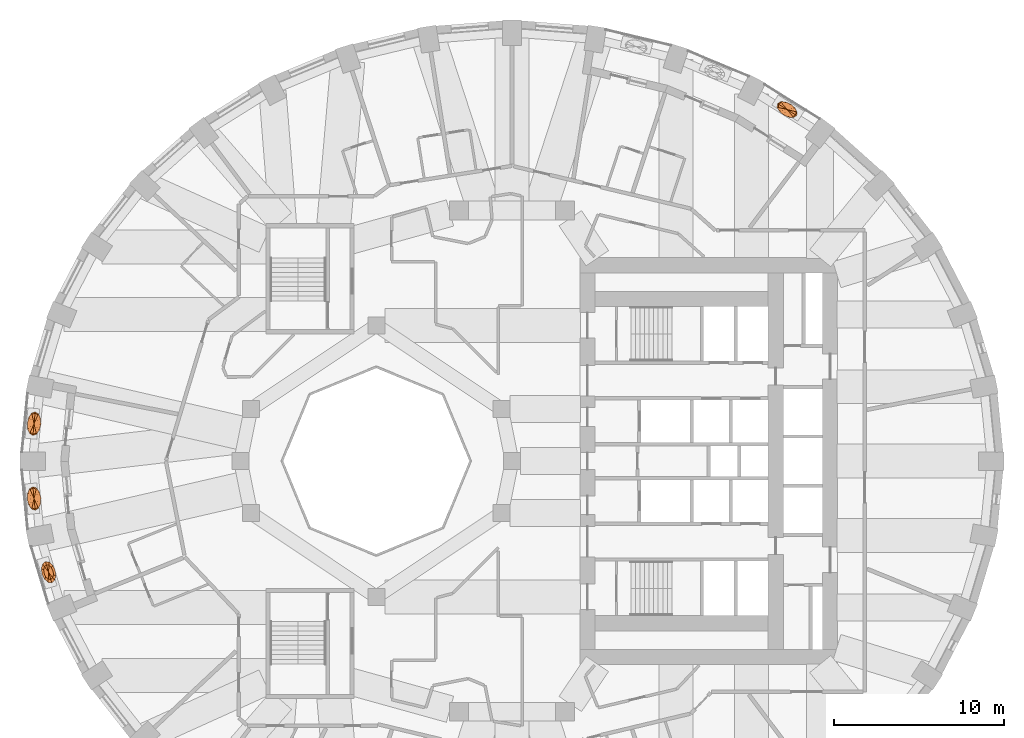
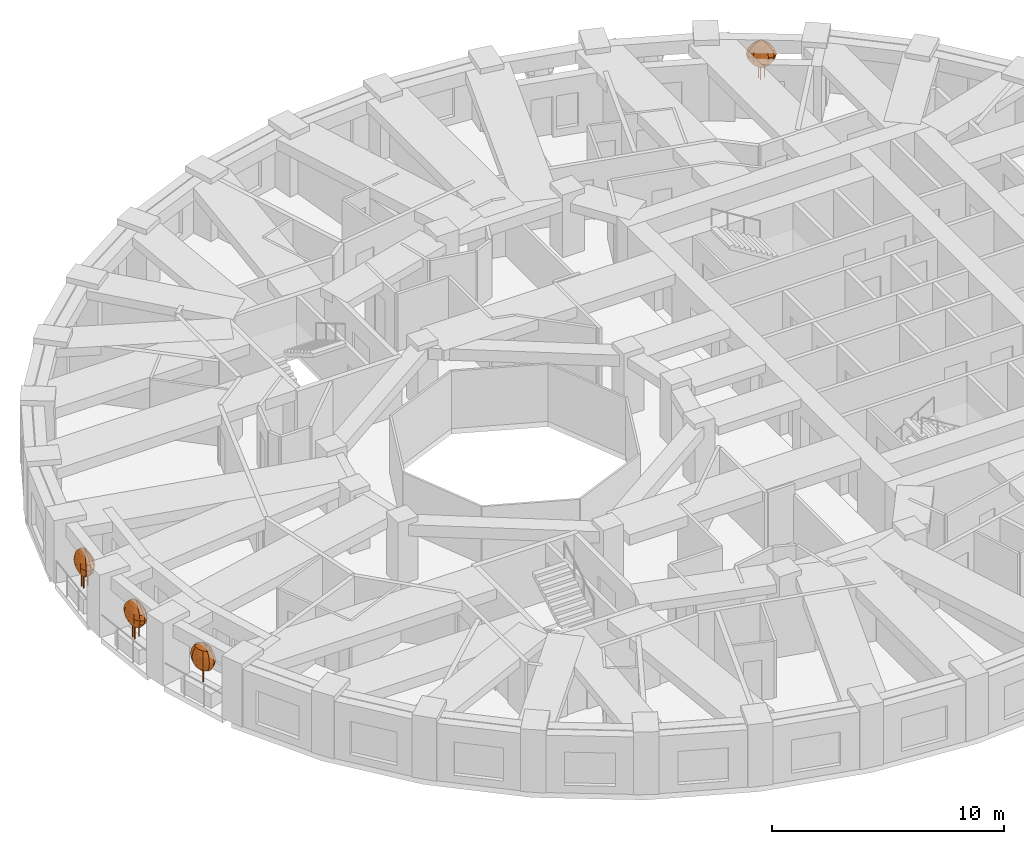
# One storey, part 13 of 14: 4 geographic elements.
"""IFC4 building model written with IfcOpenShell, lengths in metres."""

from ifc_helpers import new_model, si_unit, direction, frame, origin, place, context, subcontext, project, spatial, faceted_brep, material, constituent, constituent_set, type_object, element, save


model = new_model("IFC4")

# Units and contexts
model_context = context("Model", 3, precision=1e-05, world=origin(), true_north=direction((0.0, 1.0)))
body_context = subcontext(model_context, "Body", "Model", "MODEL_VIEW")
ifc_project = project(units=[si_unit("LENGTHUNIT", "METRE"), si_unit("AREAUNIT", "SQUARE_METRE"), si_unit("VOLUMEUNIT", "CUBIC_METRE"), si_unit("PLANEANGLEUNIT", "RADIAN"), si_unit("MASSUNIT", "GRAM", prefix="KILO")], contexts=[model_context])

# Site, building, storey
site_placement = place(None, origin())
site = spatial("IfcSite", under=ifc_project, at=site_placement, CompositionType="ELEMENT")
building_placement = place(site_placement, origin())
building = spatial("IfcBuilding", under=site, at=building_placement, Name="Taillehof Tower", CompositionType="ELEMENT")
storey_placement = place(building_placement, frame((0.0, 0.0, 21.699951171875)))
storey = spatial("IfcBuildingStorey", under=building, at=storey_placement, Name="L04", CompositionType="ELEMENT", Elevation=21.699951171875)

# Geographic elements
ifc_material_1 = material(Name="Tree bark", Category="timber")
ifc_constituent_1 = constituent(ifc_material_1, Name="Trunk", Category="timber")
ifc_material_2 = material(Name="Tree foliage")
ifc_constituent_2 = constituent(ifc_material_2, Name="Crown")
ifc_constituent_set_1 = constituent_set(constituents=[ifc_constituent_1, ifc_constituent_2], Name="Tree TR1 Columnar hornbeam")
geographic_element_type_1 = type_object("IfcGeographicElementType", Name="Tree TR1 Columnar hornbeam", PredefinedType="USERDEFINED", material=ifc_constituent_set_1)
geographic_element_1_placement = place(storey_placement, frame((-27.314697265625, -6.548583984375, 0.75)))
element("IfcGeographicElement", 1, at=geographic_element_1_placement, inside=storey, type_object=geographic_element_type_1, Name="Tree TR1 Columnar hornbeam", ObjectType="TREE", PredefinedType="USERDEFINED", context=body_context, shape_type="Brep", body=[
    faceted_brep([(0.030029296875, 0.0, 0.0), (0.021240234375, 0.021240234375, 0.0), (0.021240234375, 0.021240234375, 1.092529296875), (0.030029296875, 0.0, 1.092529296875), (0.0, 0.030029296875, 0.0), (0.0, 0.030029296875, 1.092529296875), (-0.021240234375, 0.021240234375, 0.0), (-0.021240234375, 0.021240234375, 1.092529296875), (-0.030029296875, 0.0, 0.0), (-0.030029296875, 0.0, 1.092529296875), (-0.021240234375, -0.021240234375, 0.0), (-0.021240234375, -0.021240234375, 1.092529296875), (0.0, -0.030029296875, 0.0), (0.0, -0.030029296875, 1.092529296875), (0.021240234375, -0.021240234375, 0.0), (0.021240234375, -0.021240234375, 1.092529296875)], [[[0, 1, 2, 3]], [[1, 4, 5, 2]], [[4, 6, 7, 5]], [[6, 8, 9, 7]], [[8, 10, 11, 9]], [[10, 12, 13, 11]], [[12, 14, 15, 13]], [[14, 0, 3, 15]], [[14, 12, 10, 8, 6, 4, 1, 0]], [[3, 2, 5, 7, 9, 11, 13, 15]]]),
    faceted_brep([(0.0, 0.0, 0.550048828125), (0.2412109375, -0.3291015625, 0.808349609375), (0.12744140625, -0.42529296875, 0.808349609375), (0.290283203125, -0.144775390625, 0.808349609375), (0.26171875, 0.078369140625, 0.808349609375), (0.162841796875, 0.280517578125, 0.808349609375), (0.0205078125, 0.407470703125, 0.808349609375), (-0.12744140625, 0.42529296875, 0.808349609375), (-0.2412109375, 0.3291015625, 0.808349609375), (-0.290283203125, 0.144775390625, 0.808349609375), (-0.26171875, -0.078369140625, 0.808349609375), (-0.162841796875, -0.280517578125, 0.808349609375), (-0.0205078125, -0.407470703125, 0.808349609375), (0.326416015625, -0.445068359375, 1.066650390625), (0.17236328125, -0.5751953125, 1.066650390625), (0.392822265625, -0.19580078125, 1.066650390625), (0.35400390625, 0.106201171875, 1.066650390625), (0.220458984375, 0.379638671875, 1.066650390625), (0.027587890625, 0.55126953125, 1.066650390625), (-0.17236328125, 0.5751953125, 1.066650390625), (-0.326416015625, 0.445068359375, 1.066650390625), (-0.392822265625, 0.19580078125, 1.066650390625), (-0.35400390625, -0.106201171875, 1.066650390625), (-0.220458984375, -0.379638671875, 1.066650390625), (-0.027587890625, -0.55126953125, 1.066650390625), (0.353271484375, -0.481689453125, 1.324951171875), (0.1865234375, -0.62255859375, 1.324951171875), (0.425048828125, -0.2119140625, 1.324951171875), (0.383056640625, 0.11474609375, 1.324951171875), (0.238525390625, 0.410888671875, 1.324951171875), (0.030029296875, 0.5966796875, 1.324951171875), (-0.1865234375, 0.62255859375, 1.324951171875), (-0.353271484375, 0.481689453125, 1.324951171875), (-0.425048828125, 0.2119140625, 1.324951171875), (-0.383056640625, -0.11474609375, 1.324951171875), (-0.238525390625, -0.410888671875, 1.324951171875), (-0.030029296875, -0.5966796875, 1.324951171875), (0.326416015625, -0.445068359375, 1.583251953125), (0.17236328125, -0.5751953125, 1.583251953125), (0.392822265625, -0.19580078125, 1.583251953125), (0.35400390625, 0.106201171875, 1.583251953125), (0.220458984375, 0.379638671875, 1.583251953125), (0.027587890625, 0.55126953125, 1.583251953125), (-0.17236328125, 0.5751953125, 1.583251953125), (-0.326416015625, 0.445068359375, 1.583251953125), (-0.392822265625, 0.19580078125, 1.583251953125), (-0.35400390625, -0.106201171875, 1.583251953125), (-0.220458984375, -0.379638671875, 1.583251953125), (-0.027587890625, -0.55126953125, 1.583251953125), (0.2412109375, -0.3291015625, 1.841552734375), (0.12744140625, -0.42529296875, 1.841552734375), (0.290283203125, -0.144775390625, 1.841552734375), (0.26171875, 0.078369140625, 1.841552734375), (0.162841796875, 0.280517578125, 1.841552734375), (0.0205078125, 0.407470703125, 1.841552734375), (-0.12744140625, 0.42529296875, 1.841552734375), (-0.2412109375, 0.3291015625, 1.841552734375), (-0.290283203125, 0.144775390625, 1.841552734375), (-0.26171875, -0.078369140625, 1.841552734375), (-0.162841796875, -0.280517578125, 1.841552734375), (-0.0205078125, -0.407470703125, 1.841552734375), (0.0, 0.0, 2.10009765625)], [[[0, 1, 2]], [[0, 3, 1]], [[0, 4, 3]], [[0, 5, 4]], [[0, 6, 5]], [[0, 7, 6]], [[0, 8, 7]], [[0, 9, 8]], [[0, 10, 9]], [[0, 11, 10]], [[0, 12, 11]], [[0, 2, 12]], [[2, 1, 13, 14]], [[1, 3, 15, 13]], [[3, 4, 16, 15]], [[4, 5, 17, 16]], [[5, 6, 18, 17]], [[6, 7, 19, 18]], [[7, 8, 20, 19]], [[8, 9, 21, 20]], [[9, 10, 22, 21]], [[10, 11, 23, 22]], [[11, 12, 24, 23]], [[12, 2, 14, 24]], [[14, 13, 25, 26]], [[13, 15, 27, 25]], [[15, 16, 28, 27]], [[16, 17, 29, 28]], [[17, 18, 30, 29]], [[18, 19, 31, 30]], [[19, 20, 32, 31]], [[20, 21, 33, 32]], [[21, 22, 34, 33]], [[22, 23, 35, 34]], [[23, 24, 36, 35]], [[24, 14, 26, 36]], [[26, 25, 37, 38]], [[25, 27, 39, 37]], [[27, 28, 40, 39]], [[28, 29, 41, 40]], [[29, 30, 42, 41]], [[30, 31, 43, 42]], [[31, 32, 44, 43]], [[32, 33, 45, 44]], [[33, 34, 46, 45]], [[34, 35, 47, 46]], [[35, 36, 48, 47]], [[36, 26, 38, 48]], [[38, 37, 49, 50]], [[37, 39, 51, 49]], [[39, 40, 52, 51]], [[40, 41, 53, 52]], [[41, 42, 54, 53]], [[42, 43, 55, 54]], [[43, 44, 56, 55]], [[44, 45, 57, 56]], [[45, 46, 58, 57]], [[46, 47, 59, 58]], [[47, 48, 60, 59]], [[48, 38, 50, 60]], [[50, 49, 61]], [[49, 51, 61]], [[51, 52, 61]], [[52, 53, 61]], [[53, 54, 61]], [[54, 55, 61]], [[55, 56, 61]], [[56, 57, 61]], [[57, 58, 61]], [[58, 59, 61]], [[59, 60, 61]], [[60, 50, 61]]]),
])
ifc_material_3 = material(Name="Tree bark", Category="timber")
ifc_constituent_3 = constituent(ifc_material_3, Name="Trunk", Category="timber")
ifc_material_4 = material(Name="Tree foliage")
ifc_constituent_4 = constituent(ifc_material_4, Name="Crown")
ifc_constituent_set_2 = constituent_set(constituents=[ifc_constituent_3, ifc_constituent_4], Name="Tree TR3 Multi-stem serviceberry")
geographic_element_type_2 = type_object("IfcGeographicElementType", Name="Tree TR3 Multi-stem serviceberry", PredefinedType="USERDEFINED", material=ifc_constituent_set_2)
geographic_element_2_placement = place(storey_placement, frame((16.2158203125, 20.720703125, 0.75)))
element("IfcGeographicElement", 2, at=geographic_element_2_placement, inside=storey, type_object=geographic_element_type_2, Name="Tree TR3 Multi-stem serviceberry", ObjectType="TREE", PredefinedType="USERDEFINED", context=body_context, shape_type="Brep", body=[
    faceted_brep([(0.195068359375, 0.0, 0.0), (0.186767578125, 0.0205078125, 0.0), (0.186767578125, 0.0205078125, 1.04248046875), (0.195068359375, 0.0, 1.04248046875), (0.166259765625, 0.02880859375, 0.0), (0.166259765625, 0.02880859375, 1.04248046875), (0.145751953125, 0.0205078125, 0.0), (0.145751953125, 0.0205078125, 1.04248046875), (0.137451171875, 0.0, 0.0), (0.137451171875, 0.0, 1.04248046875), (0.145751953125, -0.0205078125, 0.0), (0.145751953125, -0.0205078125, 1.04248046875), (0.166259765625, -0.02880859375, 0.0), (0.166259765625, -0.02880859375, 1.04248046875), (0.186767578125, -0.0205078125, 0.0), (0.186767578125, -0.0205078125, 1.04248046875)], [[[0, 1, 2, 3]], [[1, 4, 5, 2]], [[4, 6, 7, 5]], [[6, 8, 9, 7]], [[8, 10, 11, 9]], [[10, 12, 13, 11]], [[12, 14, 15, 13]], [[14, 0, 3, 15]], [[14, 12, 10, 8, 6, 4, 1, 0]], [[3, 2, 5, 7, 9, 11, 13, 15]]]),
    faceted_brep([(-0.05419921875, 0.082275390625, 0.0), (-0.062744140625, 0.102783203125, 0.0), (-0.062744140625, 0.102783203125, 1.04248046875), (-0.05419921875, 0.082275390625, 1.04248046875), (-0.0830078125, 0.111083984375, 0.0), (-0.0830078125, 0.111083984375, 1.04248046875), (-0.103515625, 0.102783203125, 0.0), (-0.103515625, 0.102783203125, 1.04248046875), (-0.112060546875, 0.082275390625, 0.0), (-0.112060546875, 0.082275390625, 1.04248046875), (-0.103515625, 0.061767578125, 0.0), (-0.103515625, 0.061767578125, 1.04248046875), (-0.0830078125, 0.053466796875, 0.0), (-0.0830078125, 0.053466796875, 1.04248046875), (-0.062744140625, 0.061767578125, 0.0), (-0.062744140625, 0.061767578125, 1.04248046875)], [[[0, 1, 2, 3]], [[1, 4, 5, 2]], [[4, 6, 7, 5]], [[6, 8, 9, 7]], [[8, 10, 11, 9]], [[10, 12, 13, 11]], [[12, 14, 15, 13]], [[14, 0, 3, 15]], [[14, 12, 10, 8, 6, 4, 1, 0]], [[3, 2, 5, 7, 9, 11, 13, 15]]]),
    faceted_brep([(-0.05419921875, -0.082275390625, 0.0), (-0.062744140625, -0.061767578125, 0.0), (-0.062744140625, -0.061767578125, 1.04248046875), (-0.05419921875, -0.082275390625, 1.04248046875), (-0.0830078125, -0.053466796875, 0.0), (-0.0830078125, -0.053466796875, 1.04248046875), (-0.103515625, -0.061767578125, 0.0), (-0.103515625, -0.061767578125, 1.04248046875), (-0.112060546875, -0.082275390625, 0.0), (-0.112060546875, -0.082275390625, 1.04248046875), (-0.103515625, -0.102783203125, 0.0), (-0.103515625, -0.102783203125, 1.04248046875), (-0.0830078125, -0.111083984375, 0.0), (-0.0830078125, -0.111083984375, 1.04248046875), (-0.062744140625, -0.102783203125, 0.0), (-0.062744140625, -0.102783203125, 1.04248046875)], [[[0, 1, 2, 3]], [[1, 4, 5, 2]], [[4, 6, 7, 5]], [[6, 8, 9, 7]], [[8, 10, 11, 9]], [[10, 12, 13, 11]], [[12, 14, 15, 13]], [[14, 0, 3, 15]], [[14, 12, 10, 8, 6, 4, 1, 0]], [[3, 2, 5, 7, 9, 11, 13, 15]]]),
    faceted_brep([(0.0, 0.0, 0.5), (-0.33837890625, 0.0830078125, 0.75830078125), (-0.32373046875, 0.20263671875, 0.75830078125), (-0.26220703125, -0.058837890625, 0.75830078125), (-0.11572265625, -0.18505859375, 0.75830078125), (0.0615234375, -0.261474609375, 0.75830078125), (0.222412109375, -0.26806640625, 0.75830078125), (0.32373046875, -0.20263671875, 0.75830078125), (0.33837890625, -0.0830078125, 0.75830078125), (0.26220703125, 0.058837890625, 0.75830078125), (0.11572265625, 0.18505859375, 0.75830078125), (-0.0615234375, 0.261474609375, 0.75830078125), (-0.222412109375, 0.26806640625, 0.75830078125), (-0.52490234375, 0.12890625, 1.0166015625), (-0.50244140625, 0.314453125, 1.0166015625), (-0.40673828125, -0.09130859375, 1.0166015625), (-0.1796875, -0.287109375, 1.0166015625), (0.095703125, -0.40576171875, 1.0166015625), (0.34521484375, -0.415771484375, 1.0166015625), (0.50244140625, -0.314453125, 1.0166015625), (0.52490234375, -0.12890625, 1.0166015625), (0.40673828125, 0.09130859375, 1.0166015625), (0.1796875, 0.287109375, 1.0166015625), (-0.095703125, 0.40576171875, 1.0166015625), (-0.34521484375, 0.415771484375, 1.0166015625), (-0.5888671875, 0.14453125, 1.27490234375), (-0.563720703125, 0.352783203125, 1.27490234375), (-0.45654296875, -0.1025390625, 1.27490234375), (-0.20166015625, -0.322021484375, 1.27490234375), (0.107177734375, -0.455322265625, 1.27490234375), (0.387451171875, -0.466552734375, 1.27490234375), (0.563720703125, -0.352783203125, 1.27490234375), (0.5888671875, -0.14453125, 1.27490234375), (0.45654296875, 0.1025390625, 1.27490234375), (0.20166015625, 0.322021484375, 1.27490234375), (-0.107177734375, 0.455322265625, 1.27490234375), (-0.387451171875, 0.466552734375, 1.27490234375), (-0.52490234375, 0.12890625, 1.533447265625), (-0.50244140625, 0.314453125, 1.533447265625), (-0.40673828125, -0.09130859375, 1.533447265625), (-0.1796875, -0.287109375, 1.533447265625), (0.095703125, -0.40576171875, 1.533447265625), (0.34521484375, -0.415771484375, 1.533447265625), (0.50244140625, -0.314453125, 1.533447265625), (0.52490234375, -0.12890625, 1.533447265625), (0.40673828125, 0.09130859375, 1.533447265625), (0.1796875, 0.287109375, 1.533447265625), (-0.095703125, 0.40576171875, 1.533447265625), (-0.34521484375, 0.415771484375, 1.533447265625), (-0.33837890625, 0.0830078125, 1.791748046875), (-0.32373046875, 0.20263671875, 1.791748046875), (-0.26220703125, -0.058837890625, 1.791748046875), (-0.11572265625, -0.18505859375, 1.791748046875), (0.0615234375, -0.261474609375, 1.791748046875), (0.222412109375, -0.26806640625, 1.791748046875), (0.32373046875, -0.20263671875, 1.791748046875), (0.33837890625, -0.0830078125, 1.791748046875), (0.26220703125, 0.058837890625, 1.791748046875), (0.11572265625, 0.18505859375, 1.791748046875), (-0.0615234375, 0.261474609375, 1.791748046875), (-0.222412109375, 0.26806640625, 1.791748046875), (0.0, 0.0, 2.050048828125)], [[[0, 1, 2]], [[0, 3, 1]], [[0, 4, 3]], [[0, 5, 4]], [[0, 6, 5]], [[0, 7, 6]], [[0, 8, 7]], [[0, 9, 8]], [[0, 10, 9]], [[0, 11, 10]], [[0, 12, 11]], [[0, 2, 12]], [[2, 1, 13, 14]], [[1, 3, 15, 13]], [[3, 4, 16, 15]], [[4, 5, 17, 16]], [[5, 6, 18, 17]], [[6, 7, 19, 18]], [[7, 8, 20, 19]], [[8, 9, 21, 20]], [[9, 10, 22, 21]], [[10, 11, 23, 22]], [[11, 12, 24, 23]], [[12, 2, 14, 24]], [[14, 13, 25, 26]], [[13, 15, 27, 25]], [[15, 16, 28, 27]], [[16, 17, 29, 28]], [[17, 18, 30, 29]], [[18, 19, 31, 30]], [[19, 20, 32, 31]], [[20, 21, 33, 32]], [[21, 22, 34, 33]], [[22, 23, 35, 34]], [[23, 24, 36, 35]], [[24, 14, 26, 36]], [[26, 25, 37, 38]], [[25, 27, 39, 37]], [[27, 28, 40, 39]], [[28, 29, 41, 40]], [[29, 30, 42, 41]], [[30, 31, 43, 42]], [[31, 32, 44, 43]], [[32, 33, 45, 44]], [[33, 34, 46, 45]], [[34, 35, 47, 46]], [[35, 36, 48, 47]], [[36, 26, 38, 48]], [[38, 37, 49, 50]], [[37, 39, 51, 49]], [[39, 40, 52, 51]], [[40, 41, 53, 52]], [[41, 42, 54, 53]], [[42, 43, 55, 54]], [[43, 44, 56, 55]], [[44, 45, 57, 56]], [[45, 46, 58, 57]], [[46, 47, 59, 58]], [[47, 48, 60, 59]], [[48, 38, 50, 60]], [[50, 49, 61]], [[49, 51, 61]], [[51, 52, 61]], [[52, 53, 61]], [[53, 54, 61]], [[54, 55, 61]], [[55, 56, 61]], [[56, 57, 61]], [[57, 58, 61]], [[58, 59, 61]], [[59, 60, 61]], [[60, 50, 61]]]),
])
geographic_element_3_placement = place(storey_placement, frame((-28.17138671875, 2.205322265625, 0.75)))
element("IfcGeographicElement", 3, at=geographic_element_3_placement, inside=storey, type_object=geographic_element_type_2, Name="Tree TR3 Multi-stem serviceberry", ObjectType="TREE", PredefinedType="USERDEFINED", context=body_context, shape_type="Brep", body=[
    faceted_brep([(0.203857421875, 0.0, 0.0), (0.1953125, 0.0205078125, 0.0), (0.1953125, 0.0205078125, 1.04248046875), (0.203857421875, 0.0, 1.04248046875), (0.175048828125, 0.02880859375, 0.0), (0.175048828125, 0.02880859375, 1.04248046875), (0.154541015625, 0.0205078125, 0.0), (0.154541015625, 0.0205078125, 1.04248046875), (0.146240234375, 0.0, 0.0), (0.146240234375, 0.0, 1.04248046875), (0.154541015625, -0.0205078125, 0.0), (0.154541015625, -0.0205078125, 1.04248046875), (0.175048828125, -0.02880859375, 0.0), (0.175048828125, -0.02880859375, 1.04248046875), (0.1953125, -0.0205078125, 0.0), (0.1953125, -0.0205078125, 1.04248046875)], [[[0, 1, 2, 3]], [[1, 4, 5, 2]], [[4, 6, 7, 5]], [[6, 8, 9, 7]], [[8, 10, 11, 9]], [[10, 12, 13, 11]], [[12, 14, 15, 13]], [[14, 0, 3, 15]], [[14, 12, 10, 8, 6, 4, 1, 0]], [[3, 2, 5, 7, 9, 11, 13, 15]]]),
    faceted_brep([(-0.05859375, 0.086669921875, 0.0), (-0.067138671875, 0.10693359375, 0.0), (-0.067138671875, 0.10693359375, 1.04248046875), (-0.05859375, 0.086669921875, 1.04248046875), (-0.08740234375, 0.115478515625, 0.0), (-0.08740234375, 0.115478515625, 1.04248046875), (-0.10791015625, 0.10693359375, 0.0), (-0.10791015625, 0.10693359375, 1.04248046875), (-0.116455078125, 0.086669921875, 0.0), (-0.116455078125, 0.086669921875, 1.04248046875), (-0.10791015625, 0.066162109375, 0.0), (-0.10791015625, 0.066162109375, 1.04248046875), (-0.08740234375, 0.0576171875, 0.0), (-0.08740234375, 0.0576171875, 1.04248046875), (-0.067138671875, 0.066162109375, 0.0), (-0.067138671875, 0.066162109375, 1.04248046875)], [[[0, 1, 2, 3]], [[1, 4, 5, 2]], [[4, 6, 7, 5]], [[6, 8, 9, 7]], [[8, 10, 11, 9]], [[10, 12, 13, 11]], [[12, 14, 15, 13]], [[14, 0, 3, 15]], [[14, 12, 10, 8, 6, 4, 1, 0]], [[3, 2, 5, 7, 9, 11, 13, 15]]]),
    faceted_brep([(-0.05859375, -0.086669921875, 0.0), (-0.067138671875, -0.066162109375, 0.0), (-0.067138671875, -0.066162109375, 1.04248046875), (-0.05859375, -0.086669921875, 1.04248046875), (-0.08740234375, -0.0576171875, 0.0), (-0.08740234375, -0.0576171875, 1.04248046875), (-0.10791015625, -0.066162109375, 0.0), (-0.10791015625, -0.066162109375, 1.04248046875), (-0.116455078125, -0.086669921875, 0.0), (-0.116455078125, -0.086669921875, 1.04248046875), (-0.10791015625, -0.10693359375, 0.0), (-0.10791015625, -0.10693359375, 1.04248046875), (-0.08740234375, -0.115478515625, 0.0), (-0.08740234375, -0.115478515625, 1.04248046875), (-0.067138671875, -0.10693359375, 0.0), (-0.067138671875, -0.10693359375, 1.04248046875)], [[[0, 1, 2, 3]], [[1, 4, 5, 2]], [[4, 6, 7, 5]], [[6, 8, 9, 7]], [[8, 10, 11, 9]], [[10, 12, 13, 11]], [[12, 14, 15, 13]], [[14, 0, 3, 15]], [[14, 12, 10, 8, 6, 4, 1, 0]], [[3, 2, 5, 7, 9, 11, 13, 15]]]),
    faceted_brep([(0.0, 0.0, 0.5), (0.080322265625, -0.357666015625, 0.75830078125), (-0.0390625, -0.400146484375, 0.75830078125), (0.178466796875, -0.219482421875, 0.75830078125), (0.228759765625, -0.0224609375, 0.75830078125), (0.217529296875, 0.1806640625, 0.75830078125), (0.148193359375, 0.33544921875, 0.75830078125), (0.0390625, 0.400146484375, 0.75830078125), (-0.080322265625, 0.357666015625, 0.75830078125), (-0.178466796875, 0.219482421875, 0.75830078125), (-0.228759765625, 0.0224609375, 0.75830078125), (-0.217529296875, -0.1806640625, 0.75830078125), (-0.148193359375, -0.33544921875, 0.75830078125), (0.124755859375, -0.55517578125, 1.0166015625), (-0.060791015625, -0.620849609375, 1.0166015625), (0.27685546875, -0.340576171875, 1.0166015625), (0.354736328125, -0.03466796875, 1.0166015625), (0.337646484375, 0.280517578125, 1.0166015625), (0.22998046875, 0.5205078125, 1.0166015625), (0.060791015625, 0.620849609375, 1.0166015625), (-0.124755859375, 0.55517578125, 1.0166015625), (-0.27685546875, 0.340576171875, 1.0166015625), (-0.354736328125, 0.03466796875, 1.0166015625), (-0.337646484375, -0.280517578125, 1.0166015625), (-0.22998046875, -0.5205078125, 1.0166015625), (0.139892578125, -0.622802734375, 1.27490234375), (-0.068115234375, -0.69677734375, 1.27490234375), (0.310791015625, -0.382080078125, 1.27490234375), (0.398193359375, -0.0390625, 1.27490234375), (0.37890625, 0.314697265625, 1.27490234375), (0.258056640625, 0.583740234375, 1.27490234375), (0.068115234375, 0.69677734375, 1.27490234375), (-0.139892578125, 0.622802734375, 1.27490234375), (-0.310791015625, 0.382080078125, 1.27490234375), (-0.398193359375, 0.0390625, 1.27490234375), (-0.37890625, -0.314697265625, 1.27490234375), (-0.258056640625, -0.583740234375, 1.27490234375), (0.124755859375, -0.55517578125, 1.533447265625), (-0.060791015625, -0.620849609375, 1.533447265625), (0.27685546875, -0.340576171875, 1.533447265625), (0.354736328125, -0.03466796875, 1.533447265625), (0.337646484375, 0.280517578125, 1.533447265625), (0.22998046875, 0.5205078125, 1.533447265625), (0.060791015625, 0.620849609375, 1.533447265625), (-0.124755859375, 0.55517578125, 1.533447265625), (-0.27685546875, 0.340576171875, 1.533447265625), (-0.354736328125, 0.03466796875, 1.533447265625), (-0.337646484375, -0.280517578125, 1.533447265625), (-0.22998046875, -0.5205078125, 1.533447265625), (0.080322265625, -0.357666015625, 1.791748046875), (-0.0390625, -0.400146484375, 1.791748046875), (0.178466796875, -0.219482421875, 1.791748046875), (0.228759765625, -0.0224609375, 1.791748046875), (0.217529296875, 0.1806640625, 1.791748046875), (0.148193359375, 0.33544921875, 1.791748046875), (0.0390625, 0.400146484375, 1.791748046875), (-0.080322265625, 0.357666015625, 1.791748046875), (-0.178466796875, 0.219482421875, 1.791748046875), (-0.228759765625, 0.0224609375, 1.791748046875), (-0.217529296875, -0.1806640625, 1.791748046875), (-0.148193359375, -0.33544921875, 1.791748046875), (0.0, 0.0, 2.050048828125)], [[[0, 1, 2]], [[0, 3, 1]], [[0, 4, 3]], [[0, 5, 4]], [[0, 6, 5]], [[0, 7, 6]], [[0, 8, 7]], [[0, 9, 8]], [[0, 10, 9]], [[0, 11, 10]], [[0, 12, 11]], [[0, 2, 12]], [[2, 1, 13, 14]], [[1, 3, 15, 13]], [[3, 4, 16, 15]], [[4, 5, 17, 16]], [[5, 6, 18, 17]], [[6, 7, 19, 18]], [[7, 8, 20, 19]], [[8, 9, 21, 20]], [[9, 10, 22, 21]], [[10, 11, 23, 22]], [[11, 12, 24, 23]], [[12, 2, 14, 24]], [[14, 13, 25, 26]], [[13, 15, 27, 25]], [[15, 16, 28, 27]], [[16, 17, 29, 28]], [[17, 18, 30, 29]], [[18, 19, 31, 30]], [[19, 20, 32, 31]], [[20, 21, 33, 32]], [[21, 22, 34, 33]], [[22, 23, 35, 34]], [[23, 24, 36, 35]], [[24, 14, 26, 36]], [[26, 25, 37, 38]], [[25, 27, 39, 37]], [[27, 28, 40, 39]], [[28, 29, 41, 40]], [[29, 30, 42, 41]], [[30, 31, 43, 42]], [[31, 32, 44, 43]], [[32, 33, 45, 44]], [[33, 34, 46, 45]], [[34, 35, 47, 46]], [[35, 36, 48, 47]], [[36, 26, 38, 48]], [[38, 37, 49, 50]], [[37, 39, 51, 49]], [[39, 40, 52, 51]], [[40, 41, 53, 52]], [[41, 42, 54, 53]], [[42, 43, 55, 54]], [[43, 44, 56, 55]], [[44, 45, 57, 56]], [[45, 46, 58, 57]], [[46, 47, 59, 58]], [[47, 48, 60, 59]], [[48, 38, 50, 60]], [[50, 49, 61]], [[49, 51, 61]], [[51, 52, 61]], [[52, 53, 61]], [[53, 54, 61]], [[54, 55, 61]], [[55, 56, 61]], [[56, 57, 61]], [[57, 58, 61]], [[58, 59, 61]], [[59, 60, 61]], [[60, 50, 61]]]),
])
geographic_element_4_placement = place(storey_placement, frame((-28.17138671875, -2.205322265625, 0.75)))
element("IfcGeographicElement", 4, at=geographic_element_4_placement, inside=storey, type_object=geographic_element_type_2, Name="Tree TR3 Multi-stem serviceberry", ObjectType="TREE", PredefinedType="USERDEFINED", context=body_context, shape_type="Brep", body=[
    faceted_brep([(0.203857421875, 0.0, 0.0), (0.1953125, 0.0205078125, 0.0), (0.1953125, 0.0205078125, 1.04248046875), (0.203857421875, 0.0, 1.04248046875), (0.175048828125, 0.02880859375, 0.0), (0.175048828125, 0.02880859375, 1.04248046875), (0.154541015625, 0.0205078125, 0.0), (0.154541015625, 0.0205078125, 1.04248046875), (0.146240234375, 0.0, 0.0), (0.146240234375, 0.0, 1.04248046875), (0.154541015625, -0.0205078125, 0.0), (0.154541015625, -0.0205078125, 1.04248046875), (0.175048828125, -0.02880859375, 0.0), (0.175048828125, -0.02880859375, 1.04248046875), (0.1953125, -0.0205078125, 0.0), (0.1953125, -0.0205078125, 1.04248046875)], [[[0, 1, 2, 3]], [[1, 4, 5, 2]], [[4, 6, 7, 5]], [[6, 8, 9, 7]], [[8, 10, 11, 9]], [[10, 12, 13, 11]], [[12, 14, 15, 13]], [[14, 0, 3, 15]], [[14, 12, 10, 8, 6, 4, 1, 0]], [[3, 2, 5, 7, 9, 11, 13, 15]]]),
    faceted_brep([(-0.05859375, 0.086669921875, 0.0), (-0.067138671875, 0.10693359375, 0.0), (-0.067138671875, 0.10693359375, 1.04248046875), (-0.05859375, 0.086669921875, 1.04248046875), (-0.08740234375, 0.115478515625, 0.0), (-0.08740234375, 0.115478515625, 1.04248046875), (-0.10791015625, 0.10693359375, 0.0), (-0.10791015625, 0.10693359375, 1.04248046875), (-0.116455078125, 0.086669921875, 0.0), (-0.116455078125, 0.086669921875, 1.04248046875), (-0.10791015625, 0.066162109375, 0.0), (-0.10791015625, 0.066162109375, 1.04248046875), (-0.08740234375, 0.0576171875, 0.0), (-0.08740234375, 0.0576171875, 1.04248046875), (-0.067138671875, 0.066162109375, 0.0), (-0.067138671875, 0.066162109375, 1.04248046875)], [[[0, 1, 2, 3]], [[1, 4, 5, 2]], [[4, 6, 7, 5]], [[6, 8, 9, 7]], [[8, 10, 11, 9]], [[10, 12, 13, 11]], [[12, 14, 15, 13]], [[14, 0, 3, 15]], [[14, 12, 10, 8, 6, 4, 1, 0]], [[3, 2, 5, 7, 9, 11, 13, 15]]]),
    faceted_brep([(-0.05859375, -0.086669921875, 0.0), (-0.067138671875, -0.066162109375, 0.0), (-0.067138671875, -0.066162109375, 1.04248046875), (-0.05859375, -0.086669921875, 1.04248046875), (-0.08740234375, -0.0576171875, 0.0), (-0.08740234375, -0.0576171875, 1.04248046875), (-0.10791015625, -0.066162109375, 0.0), (-0.10791015625, -0.066162109375, 1.04248046875), (-0.116455078125, -0.086669921875, 0.0), (-0.116455078125, -0.086669921875, 1.04248046875), (-0.10791015625, -0.10693359375, 0.0), (-0.10791015625, -0.10693359375, 1.04248046875), (-0.08740234375, -0.115478515625, 0.0), (-0.08740234375, -0.115478515625, 1.04248046875), (-0.067138671875, -0.10693359375, 0.0), (-0.067138671875, -0.10693359375, 1.04248046875)], [[[0, 1, 2, 3]], [[1, 4, 5, 2]], [[4, 6, 7, 5]], [[6, 8, 9, 7]], [[8, 10, 11, 9]], [[10, 12, 13, 11]], [[12, 14, 15, 13]], [[14, 0, 3, 15]], [[14, 12, 10, 8, 6, 4, 1, 0]], [[3, 2, 5, 7, 9, 11, 13, 15]]]),
    faceted_brep([(0.0, 0.0, 0.5), (0.148193359375, -0.33544921875, 0.75830078125), (0.0390625, -0.400146484375, 0.75830078125), (0.217529296875, -0.1806640625, 0.75830078125), (0.228759765625, 0.0224609375, 0.75830078125), (0.178466796875, 0.219482421875, 0.75830078125), (0.080322265625, 0.357666015625, 0.75830078125), (-0.0390625, 0.400146484375, 0.75830078125), (-0.148193359375, 0.33544921875, 0.75830078125), (-0.217529296875, 0.1806640625, 0.75830078125), (-0.228759765625, -0.0224609375, 0.75830078125), (-0.178466796875, -0.219482421875, 0.75830078125), (-0.080322265625, -0.357666015625, 0.75830078125), (0.22998046875, -0.5205078125, 1.0166015625), (0.060791015625, -0.620849609375, 1.0166015625), (0.337646484375, -0.280517578125, 1.0166015625), (0.354736328125, 0.03466796875, 1.0166015625), (0.27685546875, 0.340576171875, 1.0166015625), (0.124755859375, 0.55517578125, 1.0166015625), (-0.060791015625, 0.620849609375, 1.0166015625), (-0.22998046875, 0.5205078125, 1.0166015625), (-0.337646484375, 0.280517578125, 1.0166015625), (-0.354736328125, -0.03466796875, 1.0166015625), (-0.27685546875, -0.340576171875, 1.0166015625), (-0.124755859375, -0.55517578125, 1.0166015625), (0.258056640625, -0.583740234375, 1.27490234375), (0.068115234375, -0.69677734375, 1.27490234375), (0.37890625, -0.314697265625, 1.27490234375), (0.398193359375, 0.0390625, 1.27490234375), (0.310791015625, 0.382080078125, 1.27490234375), (0.139892578125, 0.622802734375, 1.27490234375), (-0.068115234375, 0.69677734375, 1.27490234375), (-0.258056640625, 0.583740234375, 1.27490234375), (-0.37890625, 0.314697265625, 1.27490234375), (-0.398193359375, -0.0390625, 1.27490234375), (-0.310791015625, -0.382080078125, 1.27490234375), (-0.139892578125, -0.622802734375, 1.27490234375), (0.22998046875, -0.5205078125, 1.533447265625), (0.060791015625, -0.620849609375, 1.533447265625), (0.337646484375, -0.280517578125, 1.533447265625), (0.354736328125, 0.03466796875, 1.533447265625), (0.27685546875, 0.340576171875, 1.533447265625), (0.124755859375, 0.55517578125, 1.533447265625), (-0.060791015625, 0.620849609375, 1.533447265625), (-0.22998046875, 0.5205078125, 1.533447265625), (-0.337646484375, 0.280517578125, 1.533447265625), (-0.354736328125, -0.03466796875, 1.533447265625), (-0.27685546875, -0.340576171875, 1.533447265625), (-0.124755859375, -0.55517578125, 1.533447265625), (0.148193359375, -0.33544921875, 1.791748046875), (0.0390625, -0.400146484375, 1.791748046875), (0.217529296875, -0.1806640625, 1.791748046875), (0.228759765625, 0.0224609375, 1.791748046875), (0.178466796875, 0.219482421875, 1.791748046875), (0.080322265625, 0.357666015625, 1.791748046875), (-0.0390625, 0.400146484375, 1.791748046875), (-0.148193359375, 0.33544921875, 1.791748046875), (-0.217529296875, 0.1806640625, 1.791748046875), (-0.228759765625, -0.0224609375, 1.791748046875), (-0.178466796875, -0.219482421875, 1.791748046875), (-0.080322265625, -0.357666015625, 1.791748046875), (0.0, 0.0, 2.050048828125)], [[[0, 1, 2]], [[0, 3, 1]], [[0, 4, 3]], [[0, 5, 4]], [[0, 6, 5]], [[0, 7, 6]], [[0, 8, 7]], [[0, 9, 8]], [[0, 10, 9]], [[0, 11, 10]], [[0, 12, 11]], [[0, 2, 12]], [[2, 1, 13, 14]], [[1, 3, 15, 13]], [[3, 4, 16, 15]], [[4, 5, 17, 16]], [[5, 6, 18, 17]], [[6, 7, 19, 18]], [[7, 8, 20, 19]], [[8, 9, 21, 20]], [[9, 10, 22, 21]], [[10, 11, 23, 22]], [[11, 12, 24, 23]], [[12, 2, 14, 24]], [[14, 13, 25, 26]], [[13, 15, 27, 25]], [[15, 16, 28, 27]], [[16, 17, 29, 28]], [[17, 18, 30, 29]], [[18, 19, 31, 30]], [[19, 20, 32, 31]], [[20, 21, 33, 32]], [[21, 22, 34, 33]], [[22, 23, 35, 34]], [[23, 24, 36, 35]], [[24, 14, 26, 36]], [[26, 25, 37, 38]], [[25, 27, 39, 37]], [[27, 28, 40, 39]], [[28, 29, 41, 40]], [[29, 30, 42, 41]], [[30, 31, 43, 42]], [[31, 32, 44, 43]], [[32, 33, 45, 44]], [[33, 34, 46, 45]], [[34, 35, 47, 46]], [[35, 36, 48, 47]], [[36, 26, 38, 48]], [[38, 37, 49, 50]], [[37, 39, 51, 49]], [[39, 40, 52, 51]], [[40, 41, 53, 52]], [[41, 42, 54, 53]], [[42, 43, 55, 54]], [[43, 44, 56, 55]], [[44, 45, 57, 56]], [[45, 46, 58, 57]], [[46, 47, 59, 58]], [[47, 48, 60, 59]], [[48, 38, 50, 60]], [[50, 49, 61]], [[49, 51, 61]], [[51, 52, 61]], [[52, 53, 61]], [[53, 54, 61]], [[54, 55, 61]], [[55, 56, 61]], [[56, 57, 61]], [[57, 58, 61]], [[58, 59, 61]], [[59, 60, 61]], [[60, 50, 61]]]),
])

save(model, "model.ifc")
